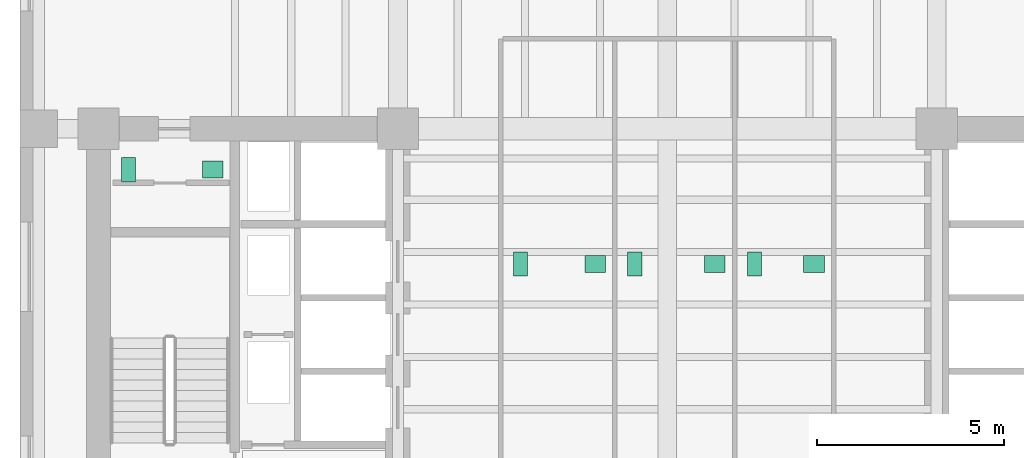
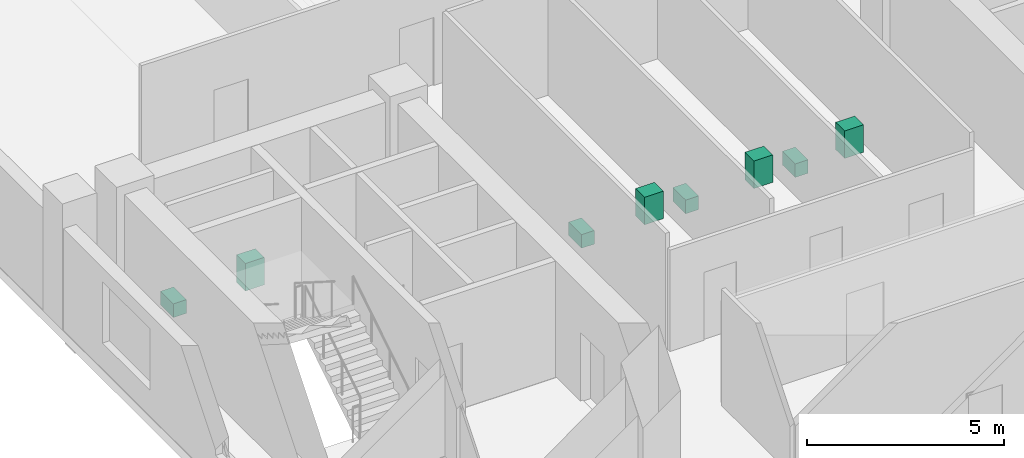
# One storey, part 8 of 8: 8 sanitary terminals.
"""IFC4 building model written with IfcOpenShell, lengths in metres."""

from ifc_helpers import new_model, si_unit, direction, frame, origin, origin_2d, place, context, subcontext, project, spatial, rectangle, extrude, material, type_object, element, save


model = new_model("IFC4")

# Units and contexts
model_context = context("Model", 3, precision=1e-05, world=origin(), true_north=direction((0.0, 1.0)))
body_context = subcontext(model_context, "Body", "Model", "MODEL_VIEW")
ifc_project = project(units=[si_unit("LENGTHUNIT", "METRE"), si_unit("AREAUNIT", "SQUARE_METRE"), si_unit("VOLUMEUNIT", "CUBIC_METRE"), si_unit("PLANEANGLEUNIT", "RADIAN"), si_unit("MASSUNIT", "GRAM", prefix="KILO")], contexts=[model_context])

# Site, building, storey
site_placement = place(None, origin())
site = spatial("IfcSite", under=ifc_project, at=site_placement, CompositionType="ELEMENT")
building_placement = place(site_placement, origin())
building = spatial("IfcBuilding", under=site, at=building_placement, Name="Kranthara Brick Stack", CompositionType="ELEMENT")
storey_placement = place(building_placement, frame((0.0, 0.0, 82.800048828125)))
storey = spatial("IfcBuildingStorey", under=building, at=storey_placement, Name="L20", CompositionType="ELEMENT", Elevation=82.800048828125)

# Sanitary terminals
ifc_material_1 = material(Name="Vitreous china sanitary porcelain", Category="other")
sanitary_terminal_type_1 = type_object("IfcSanitaryTerminalType", Name="SAN-BASIN", PredefinedType="WASHHANDBASIN", material=ifc_material_1)
for number, where, z_axis, x_axis, name in (
    (1, (15.85009765625, 32.5048828125, 0.0), (0.0, 0.0, 1.0), (1.0, 0.0, 0.0), "L20 Washbasin 61"),
    (2, (26.070068359375, 29.985107421875, 0.0), (0.0, 0.0, 1.0), (1.0, 0.0, 0.0), "L20 Washbasin 62"),
    (3, (29.27001953125, 29.985107421875, 0.0), (0.0, 0.0, 1.0), (1.0, 0.0, 0.0), "L20 Washbasin 63"),
    (4, (31.919921875, 29.985107421875, 0.0), (0.0, 0.0, 1.0), (1.0, 0.0, 0.0), "L20 Washbasin 64"),
):
    element("IfcSanitaryTerminal", number, at=place(storey_placement, frame(where, z_axis=z_axis, x_axis=x_axis)), inside=storey, type_object=sanitary_terminal_type_1, Name=name, PredefinedType="WASHHANDBASIN", context=body_context, shape_type="SweptSolid", body=[
        extrude(rectangle(XDim=0.550048828125, YDim=0.449951171875, at=origin_2d()), origin(), (0.0, 0.0, 1.0), 0.85009765625),
    ])
ifc_material_2 = material(Name="Vitreous china sanitary porcelain", Category="other")
sanitary_terminal_type_2 = type_object("IfcSanitaryTerminalType", Name="SAN-WC-PAN", PredefinedType="TOILETPAN", material=ifc_material_2)
for number, where, z_axis, x_axis, name in (
    (5, (13.60009765625, 32.5048828125, 0.0), (0.0, 0.0, 1.0), (1.0, 0.0, 0.0), "L20 WC Pan 61"),
    (6, (24.080078125, 29.985107421875, 0.0), (0.0, 0.0, 1.0), (1.0, 0.0, 0.0), "L20 WC Pan 62"),
    (7, (27.1298828125, 29.985107421875, 0.0), (0.0, 0.0, 1.0), (1.0, 0.0, 0.0), "L20 WC Pan 63"),
    (8, (30.330078125, 29.985107421875, 0.0), (0.0, 0.0, 1.0), (1.0, 0.0, 0.0), "L20 WC Pan 64"),
):
    element("IfcSanitaryTerminal", number, at=place(storey_placement, frame(where, z_axis=z_axis, x_axis=x_axis)), inside=storey, type_object=sanitary_terminal_type_2, Name=name, PredefinedType="TOILETPAN", context=body_context, shape_type="SweptSolid", body=[
        extrude(rectangle(XDim=0.3798828125, YDim=0.64990234375, at=origin_2d()), origin(), (0.0, 0.0, 1.0), 0.419921875),
    ])

save(model, "model.ifc")
